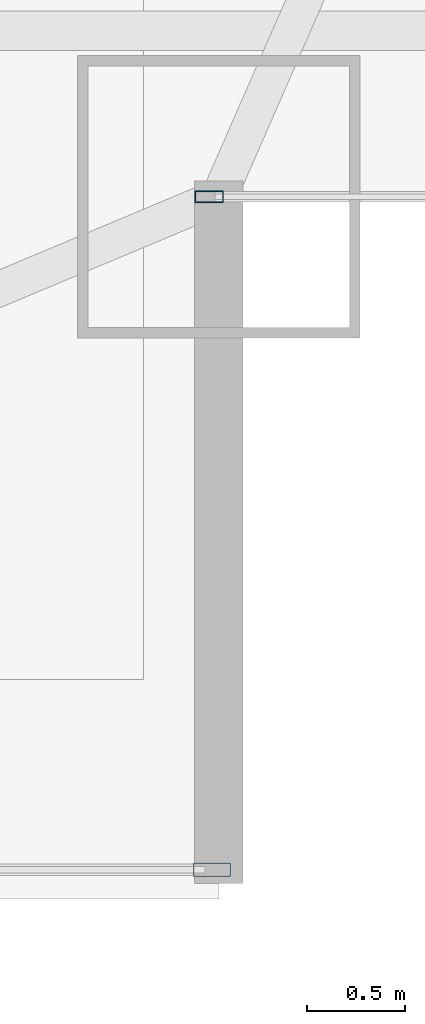
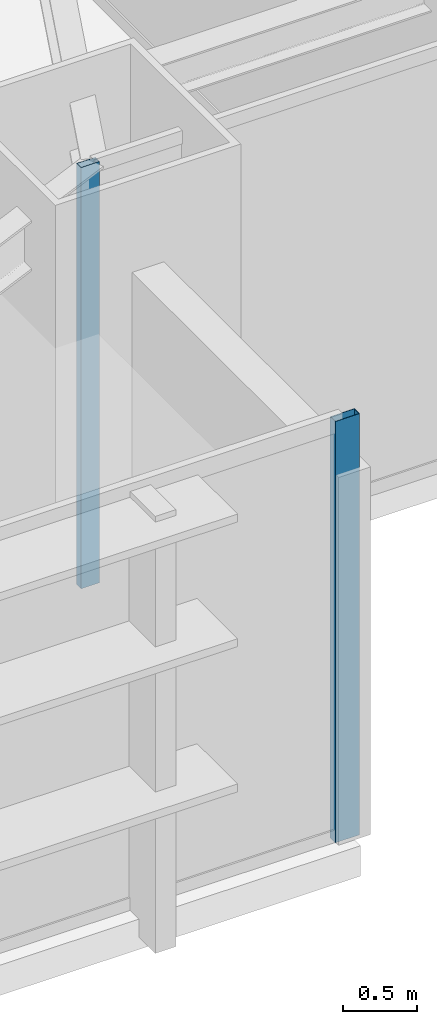
# One storey, part 14 of 33: 2 members, 2 elements without a shape of their own.
"""IFC4 building model written with IfcOpenShell, lengths in metres."""

from ifc_helpers import new_model, si_unit, direction, frame, origin, origin_2d, place, context, subcontext, project, spatial, hollow_rectangle, extrude, source, transform, mapped, material, layer, layer_set, material_profile, profile_set, type_object, type_shapes, element, aggregate, save


model = new_model("IFC4")

# Units and contexts
model_context = context("Model", 3, precision=1e-05, world=origin(), true_north=direction((0.0, 1.0)))
body_context = subcontext(model_context, "Body", "Model", "MODEL_VIEW")
ifc_project = project(units=[si_unit("LENGTHUNIT", "METRE"), si_unit("AREAUNIT", "SQUARE_METRE"), si_unit("VOLUMEUNIT", "CUBIC_METRE"), si_unit("PLANEANGLEUNIT", "RADIAN"), si_unit("MASSUNIT", "GRAM", prefix="KILO")], contexts=[model_context])

# Site, building, storey
site_placement = place(None, origin())
site = spatial("IfcSite", under=ifc_project, at=site_placement, CompositionType="ELEMENT")
building_placement = place(site_placement, origin())
building = spatial("IfcBuilding", under=site, at=building_placement, Name="Varnel Quay Broadcast Tower", CompositionType="ELEMENT")
storey_placement = place(building_placement, frame((0.0, 0.0, 137.199951171875)))
storey = spatial("IfcBuildingStorey", under=building, at=storey_placement, Name="L33", CompositionType="ELEMENT", Elevation=137.199951171875)

# Curtain wall, member
ifc_material = material(Name="Anodised Bronze Aluminium 6063-T6", Category="aluminium")
ifc_layer_1 = layer(ifc_material, 0.18994140625, Name="Anodised Bronze Aluminium 6063-T6")
ifc_layer_set_1 = layer_set([ifc_layer_1], Name="Anodised Bronze Aluminium 6063-T6")
curtain_wall_type_1 = type_object("IfcCurtainWallType", Name="CW_LowerTower", PredefinedType="NOTDEFINED", material=ifc_layer_set_1)
curtain_wall_1_placement = place(storey_placement, origin())
curtain_wall_1 = element("IfcCurtainWall", 1, at=curtain_wall_1_placement, inside=storey, type_object=curtain_wall_type_1, Name="L33 South Unitised Curtain Wall 1", PredefinedType="NOTDEFINED")
ifc_material_profile_1 = material_profile(ifc_material, hollow_rectangle(XDim=0.070068359375, YDim=0.18994140625, WallThickness=0.00390625, at=origin_2d()), Name="ALU70X190X4")
ifc_profile_set_1 = profile_set([ifc_material_profile_1], Name="Anodised Bronze Aluminium 6063-T6")
member_type_1 = type_object("IfcMemberType", Name="Mull_CWS-02", PredefinedType="MULLION", material=ifc_profile_set_1)
shared_shape_1 = source(origin(), body_context, "Body", "SweptSolid", [
    extrude(hollow_rectangle(XDim=0.070068359375, YDim=0.18994140625, WallThickness=0.00390625, at=origin_2d()), origin(), (0.0, 0.0, 1.0), 3.47998046875),
])
type_shapes(member_type_1, [shared_shape_1])
member_1_placement = place(storey_placement, frame((59.864990234375, 4.35009765625, 0.0), z_axis=(0.0, 0.0, 1.0), x_axis=(0.0, 1.0, 0.0)))
member_1 = element("IfcMember", 2, at=member_1_placement, type_object=member_type_1, Name="CWS-02 mullion 5", PredefinedType="MULLION", context=body_context, shape_type="MappedRepresentation", body=[
    mapped(shared_shape_1, transform((0.0, 0.0, 0.0), x_axis=(1.0, 0.0, 0.0), y_axis=(0.0, 1.0, 0.0), z_axis=(0.0, 0.0, 1.0), scale=1.0)),
])
aggregate(curtain_wall_1, [member_1])

ifc_layer_2 = layer(ifc_material, 0.18994140625, Name="Anodised Bronze Aluminium 6063-T6")
ifc_layer_set_2 = layer_set([ifc_layer_2], Name="Anodised Bronze Aluminium 6063-T6")
curtain_wall_type_2 = type_object("IfcCurtainWallType", Name="CW_NotchCorner", PredefinedType="NOTDEFINED", material=ifc_layer_set_2)
curtain_wall_2_placement = place(storey_placement, origin())
curtain_wall_2 = element("IfcCurtainWall", 3, at=curtain_wall_2_placement, inside=storey, type_object=curtain_wall_type_2, Name="L33 SE Notch Curtain Wall", PredefinedType="NOTDEFINED")
ifc_material_profile_2 = material_profile(ifc_material, hollow_rectangle(XDim=0.06005859375, YDim=0.14501953125, WallThickness=0.00341796875, at=origin_2d()), Name="ALU60X145X3.5")
ifc_profile_set_2 = profile_set([ifc_material_profile_2], Name="Anodised Bronze Aluminium 6063-T6")
member_type_2 = type_object("IfcMemberType", Name="Mull_CWS-04", PredefinedType="MULLION", material=ifc_profile_set_2)
shared_shape_2 = source(origin(), body_context, "Body", "SweptSolid", [
    extrude(hollow_rectangle(XDim=0.06005859375, YDim=0.14501953125, WallThickness=0.00341796875, at=origin_2d()), origin(), (0.0, 0.0, 1.0), 3.47998046875),
])
type_shapes(member_type_2, [shared_shape_2])
member_2_placement = place(storey_placement, frame((59.85009765625, 7.800048828125, 0.0), z_axis=(0.0, 0.0, 1.0), x_axis=(0.0, 1.0, 0.0)))
member_2 = element("IfcMember", 4, at=member_2_placement, type_object=member_type_2, Name="CWS-04 mullion 1", PredefinedType="MULLION", context=body_context, shape_type="MappedRepresentation", body=[
    mapped(shared_shape_2, transform((0.0, 0.0, 0.0), x_axis=(1.0, 0.0, 0.0), y_axis=(0.0, 1.0, 0.0), z_axis=(0.0, 0.0, 1.0), scale=1.0)),
])
aggregate(curtain_wall_2, [member_2])

save(model, "model.ifc")
